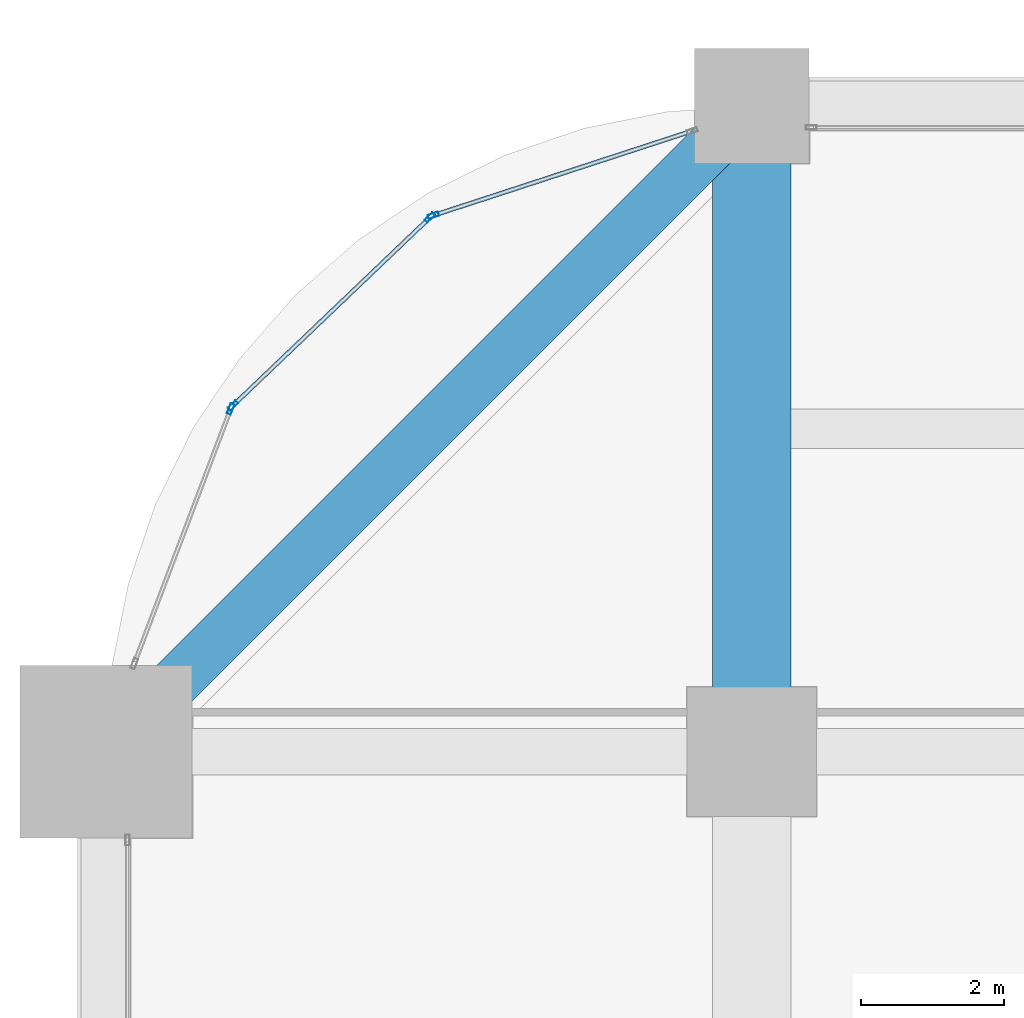
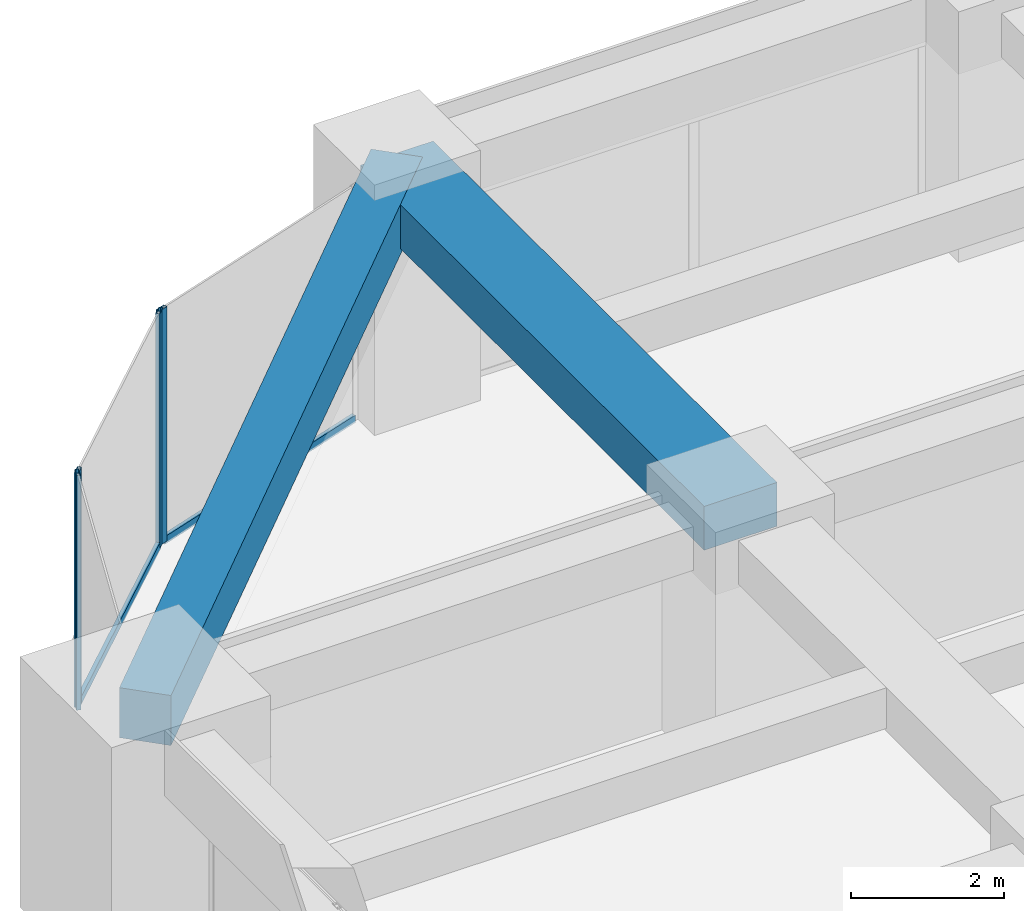
# One storey, part 26 of 40: 6 members, 2 beams, 3 elements without a shape of their own.
"""IFC4 building model written with IfcOpenShell, lengths in metres."""

from ifc_helpers import new_model, si_unit, direction, frame, origin, origin_2d, place, context, subcontext, project, spatial, rectangle, hollow_rectangle, extrude, material, material_profile, profile_set, type_object, element, aggregate, save


model = new_model("IFC4")

# Units and contexts
model_context = context("Model", 3, precision=1e-05, world=origin(), true_north=direction((0.0, 1.0)))
body_context = subcontext(model_context, "Body", "Model", "MODEL_VIEW")
ifc_project = project(units=[si_unit("LENGTHUNIT", "METRE"), si_unit("AREAUNIT", "SQUARE_METRE"), si_unit("VOLUMEUNIT", "CUBIC_METRE"), si_unit("PLANEANGLEUNIT", "RADIAN"), si_unit("MASSUNIT", "GRAM", prefix="KILO")], contexts=[model_context])

# Site, building, storey
site_placement = place(None, origin())
site = spatial("IfcSite", under=ifc_project, at=site_placement, CompositionType="ELEMENT")
building_placement = place(site_placement, origin())
building = spatial("IfcBuilding", under=site, at=building_placement, Name="Zorevar Civic Tower", CompositionType="ELEMENT")
storey_placement = place(building_placement, frame((0.0, 0.0, 133.0)))
storey = spatial("IfcBuildingStorey", under=building, at=storey_placement, Name="L32", CompositionType="ELEMENT", Elevation=133.0)

# Beam
ifc_material_1 = material(Name="Concrete C50/60", Category="concrete")
ifc_material_profile_1 = material_profile(ifc_material_1, rectangle(XDim=1.10009765625, YDim=0.699951171875, at=origin_2d()), Name="RC 1100x700")
ifc_profile_set_1 = profile_set([ifc_material_profile_1], Name="Concrete C50/60")
beam_type_1 = type_object("IfcBeamType", Name="Beam RC 1100x700", PredefinedType="BEAM", material=ifc_profile_set_1)
beam_1_placement = place(storey_placement, frame((9.0, 36.0, 3.39990234375), z_axis=(0.0, 1.0, 0.0), x_axis=(-1.0, 0.0, 0.0)))
element("IfcBeam", 1, at=beam_1_placement, inside=storey, type_object=beam_type_1, Name="Girder L33", PredefinedType="BEAM", context=body_context, shape_type="SweptSolid", body=[
    extrude(rectangle(XDim=1.10009765625, YDim=0.699951171875, at=origin_2d()), origin(), (0.0, 0.0, 1.0), 9.0),
])

# Curtain wall, member
ifc_material_2 = material(Name="Dark grey solar-control glass in black aluminium frame", Category="aluminium")
curtain_wall_type = type_object("IfcCurtainWallType", Name="Curtain wall CW3 mid zone", PredefinedType="NOTDEFINED", material=ifc_material_2)
curtain_wall_1_placement = place(storey_placement, origin())
curtain_wall_1 = element("IfcCurtainWall", 2, at=curtain_wall_1_placement, inside=storey, type_object=curtain_wall_type, Name="CW3 L32", PredefinedType="NOTDEFINED")
ifc_material_3 = material(Name="Aluminium, black anodised", Category="aluminium")
ifc_material_profile_2 = material_profile(ifc_material_3, hollow_rectangle(XDim=0.06005859375, YDim=0.14990234375, WallThickness=0.00390625, at=origin_2d()), Name="AL 150x60x4")
ifc_profile_set_2 = profile_set([ifc_material_profile_2], Name="Aluminium, black anodised")
member_type_1 = type_object("IfcMemberType", Name="CW3 mullion AL 150x60x4", PredefinedType="MULLION", material=ifc_profile_set_2)
member_1_placement = place(storey_placement, frame((4.56396484375, 43.476318359375, 0.0), z_axis=(0.0, 0.0, 1.0), x_axis=(0.310263169163, -0.950650706548, 0.0)))
member_1 = element("IfcMember", 3, at=member_1_placement, type_object=member_type_1, Name="CW3 mullion 2", PredefinedType="MULLION", context=body_context, shape_type="SweptSolid", body=[
    extrude(hollow_rectangle(XDim=0.06005859375, YDim=0.14990234375, WallThickness=0.00390625, at=origin_2d()), origin(), (0.0, 0.0, 1.0), 3.75),
])

# Curtain wall, members
curtain_wall_2_placement = place(storey_placement, origin())
curtain_wall_2 = element("IfcCurtainWall", 4, at=curtain_wall_2_placement, inside=storey, type_object=curtain_wall_type, Name="CW3 L32", PredefinedType="NOTDEFINED")
member_2_placement = place(storey_placement, frame((4.513916015625, 43.4462890625, 0.0), z_axis=(0.0, 0.0, 1.0), x_axis=(0.690545329292, -0.723289117983, 0.0)))
member_2 = element("IfcMember", 5, at=member_2_placement, type_object=member_type_1, Name="CW3 mullion 1", PredefinedType="MULLION", context=body_context, shape_type="SweptSolid", body=[
    extrude(hollow_rectangle(XDim=0.06005859375, YDim=0.14990234375, WallThickness=0.00390625, at=origin_2d()), origin(), (0.0, 0.0, 1.0), 3.75),
])
member_3_placement = place(storey_placement, frame((1.76904296875, 40.825927734375, 0.0), z_axis=(0.0, 0.0, 1.0), x_axis=(0.690545329292, -0.723289117983, 0.0)))
member_3 = element("IfcMember", 6, at=member_3_placement, type_object=member_type_1, Name="CW3 mullion 2", PredefinedType="MULLION", context=body_context, shape_type="SweptSolid", body=[
    extrude(hollow_rectangle(XDim=0.06005859375, YDim=0.14990234375, WallThickness=0.00390625, at=origin_2d()), origin(), (0.0, 0.0, 1.0), 3.75),
])

# Curtain wall, member
curtain_wall_3_placement = place(storey_placement, origin())
curtain_wall_3 = element("IfcCurtainWall", 7, at=curtain_wall_3_placement, inside=storey, type_object=curtain_wall_type, Name="CW3 L32", PredefinedType="NOTDEFINED")
member_4_placement = place(storey_placement, frame((1.73681640625, 40.777099609375, 0.0), z_axis=(0.0, 0.0, 1.0), x_axis=(0.935276561184, -0.353917722218, 0.0)))
member_4 = element("IfcMember", 8, at=member_4_placement, type_object=member_type_1, Name="CW3 mullion 1", PredefinedType="MULLION", context=body_context, shape_type="SweptSolid", body=[
    extrude(hollow_rectangle(XDim=0.06005859375, YDim=0.14990234375, WallThickness=0.00390625, at=origin_2d()), origin(), (0.0, 0.0, 1.0), 3.75),
])
aggregate(curtain_wall_3, [member_4])

# Member
ifc_material_4 = material(Name="Aluminium, black anodised", Category="aluminium")
ifc_material_profile_3 = material_profile(ifc_material_4, hollow_rectangle(XDim=0.06005859375, YDim=0.1201171875, WallThickness=0.0029296875, at=origin_2d()), Name="AL 120x60x3")
ifc_profile_set_3 = profile_set([ifc_material_profile_3], Name="Aluminium, black anodised")
member_type_2 = type_object("IfcMemberType", Name="CW3 transom AL 120x60x3", PredefinedType="USERDEFINED", material=ifc_profile_set_3)
member_5_placement = place(storey_placement, frame((8.14306640625, 44.64453125, 0.030029296875), z_axis=(-0.950638909659, -0.310299312669, 0.0), x_axis=(0.310299312669, -0.950638909659, 0.0)))
member_5 = element("IfcMember", 9, at=member_5_placement, type_object=member_type_2, Name="CW3 sill transom", ObjectType="TRANSOM", PredefinedType="USERDEFINED", context=body_context, shape_type="SweptSolid", body=[
    extrude(hollow_rectangle(XDim=0.06005859375, YDim=0.1201171875, WallThickness=0.0029296875, at=origin_2d()), origin(), (0.0, 0.0, 1.0), 3.73486328125),
])

aggregate(curtain_wall_1, [member_1, member_5])

member_6_placement = place(storey_placement, frame((4.4921875, 43.425537109375, 0.030029296875), z_axis=(-0.723324377588, -0.690508395884, 0.0), x_axis=(0.690508395884, -0.723324377588, 0.0)))
member_6 = element("IfcMember", 10, at=member_6_placement, type_object=member_type_2, Name="CW3 sill transom", ObjectType="TRANSOM", PredefinedType="USERDEFINED", context=body_context, shape_type="SweptSolid", body=[
    extrude(hollow_rectangle(XDim=0.06005859375, YDim=0.1201171875, WallThickness=0.0029296875, at=origin_2d()), origin(), (0.0, 0.0, 1.0), 3.734619140625),
])

aggregate(curtain_wall_2, [member_2, member_3, member_6])

# Beam
ifc_material_5 = material(Name="Concrete C50/60", Category="concrete")
ifc_material_profile_4 = material_profile(ifc_material_5, rectangle(XDim=0.699951171875, YDim=0.800048828125, at=origin_2d()), Name="RC 700x800")
ifc_profile_set_4 = profile_set([ifc_material_profile_4], Name="Concrete C50/60")
beam_type_2 = type_object("IfcBeamType", Name="Edge beam RC 700x800", PredefinedType="SPANDREL", material=ifc_profile_set_4)
beam_2_placement = place(storey_placement, frame((9.0, 45.0, 3.35009765625), z_axis=(-0.707106781187, -0.707106781187, 0.0), x_axis=(0.707106781187, -0.707106781187, 0.0)))
element("IfcBeam", 11, at=beam_2_placement, inside=storey, type_object=beam_type_2, Name="Corner edge beam L33", PredefinedType="SPANDREL", context=body_context, shape_type="SweptSolid", body=[
    extrude(rectangle(XDim=0.699951171875, YDim=0.800048828125, at=origin_2d()), origin(), (0.0, 0.0, 1.0), 12.72802734375),
])

save(model, "model.ifc")
